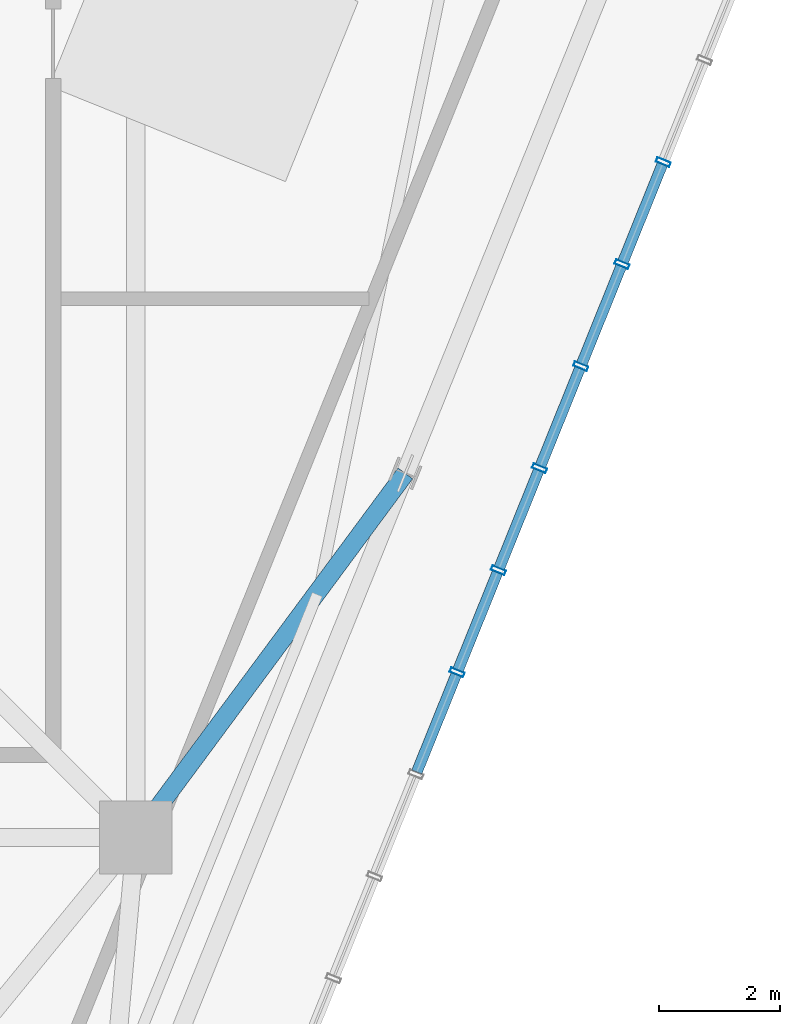
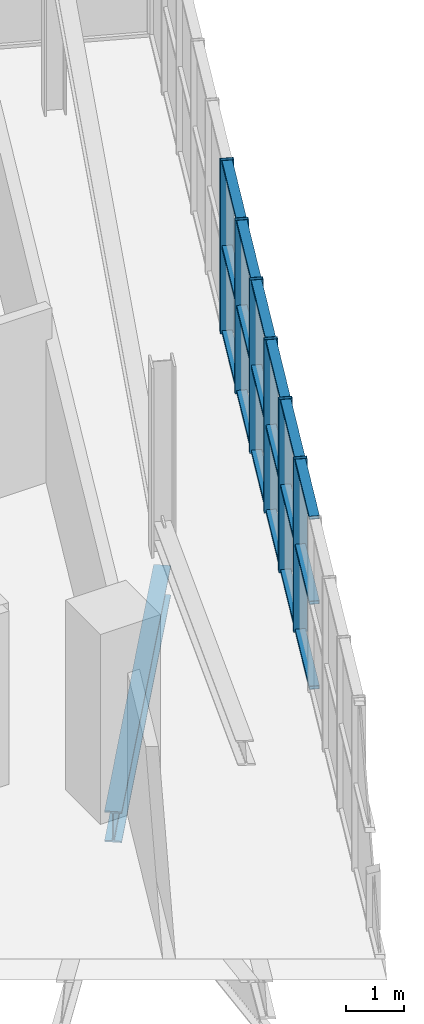
# One storey, part 9 of 26: 24 members, 1 beam, 1 element without a shape of its own.
"""IFC4 building model written with IfcOpenShell, lengths in metres."""

from ifc_helpers import new_model, si_unit, direction, frame, origin, origin_2d, place, context, subcontext, project, spatial, hollow_rectangle, i_section, extrude, source, transform, mapped, material, layer, layer_set, material_profile, profile_set, type_object, element, aggregate, save


model = new_model("IFC4")

# Units and contexts
model_context = context("Model", 3, precision=1e-05, world=origin(), true_north=direction((0.0, 1.0)))
body_context = subcontext(model_context, "Body", "Model", "MODEL_VIEW")
ifc_project = project(units=[si_unit("LENGTHUNIT", "METRE"), si_unit("AREAUNIT", "SQUARE_METRE"), si_unit("VOLUMEUNIT", "CUBIC_METRE"), si_unit("PLANEANGLEUNIT", "RADIAN"), si_unit("MASSUNIT", "GRAM", prefix="KILO"), si_unit("THERMODYNAMICTEMPERATUREUNIT", "KELVIN")], contexts=[model_context])

# Site, building, storey
site_placement = place(None, origin())
site = spatial("IfcSite", under=ifc_project, at=site_placement, CompositionType="ELEMENT")
building_placement = place(site_placement, origin())
building = spatial("IfcBuilding", under=site, at=building_placement, Name="Kosmvard Interchange Tower", CompositionType="ELEMENT")
storey_placement = place(building_placement, frame((0.0, 0.0, 341.60009765625)))
storey = spatial("IfcBuildingStorey", under=building, at=storey_placement, Name="L84", CompositionType="ELEMENT", Elevation=341.60009765625)

# Beam
ifc_material_1 = material(Name="Steel S355", Category="steel")
ifc_material_profile_1 = material_profile(ifc_material_1, i_section(OverallWidth=0.300048828125, OverallDepth=0.64990234375, WebThickness=0.01611328125, FlangeThickness=0.031005859375, FilletRadius=0.027099609375, at=origin_2d()), Name="HEB 650")
ifc_profile_set_1 = profile_set([ifc_material_profile_1], Name="Steel S355")
beam_type = type_object("IfcBeamType", Name="Primary Floor Girder HEB 650 S355", PredefinedType="BEAM", material=ifc_profile_set_1)
shared_shape_1 = source(origin(), body_context, "Body", "SweptSolid", [
    extrude(i_section(OverallWidth=0.300048828125, OverallDepth=0.64990234375, WebThickness=0.01611328125, FlangeThickness=0.031005859375, FilletRadius=0.027099609375, at=origin_2d()), origin(), (0.0, 0.0, 1.0), 7.466552734375),
])
beam_placement = place(storey_placement, frame((13.0810546875, -13.0810546875, -0.625), z_axis=(0.595007793491, 0.803719929879, 0.0), x_axis=(-0.803719929879, 0.595007793491, 0.0)))
element("IfcBeam", 1, at=beam_placement, inside=storey, type_object=beam_type, Name="BM-L84-RD02", PredefinedType="BEAM", context=body_context, shape_type="MappedRepresentation", body=[
    mapped(shared_shape_1, transform((0.0, 0.0, 0.0), scale=1.0)),
])

# Curtain wall, members
ifc_material_2 = material(Name="Architectural anodised aluminium", Category="aluminium")
ifc_layer = layer(ifc_material_2, 0.25, Name="Architectural anodised aluminium")
ifc_layer_set = layer_set([ifc_layer], Name="Architectural anodised aluminium")
curtain_wall_type = type_object("IfcCurtainWallType", Name="CW-6 Illuminated Crown Lantern Curtain Wall", PredefinedType="NOTDEFINED", material=ifc_layer_set)
curtain_wall_placement = place(storey_placement, origin())
curtain_wall = element("IfcCurtainWall", 2, at=curtain_wall_placement, inside=storey, type_object=curtain_wall_type, Name="L84 Crown Lantern Glazing Face 01", PredefinedType="NOTDEFINED")
ifc_material_profile_2 = material_profile(ifc_material_2, hollow_rectangle(XDim=0.179931640625, YDim=0.070068359375, WallThickness=0.0048828125, at=origin_2d()), Name="CWT 180x70x5")
ifc_profile_set_2 = profile_set([ifc_material_profile_2], Name="Architectural anodised aluminium")
member_type_1 = type_object("IfcMemberType", Name="Heavy Lantern CW Transom 180x70 Aluminium", PredefinedType="USERDEFINED", material=ifc_profile_set_2)
shared_shape_2 = source(origin(), body_context, "Body", "SweptSolid", [
    extrude(hollow_rectangle(XDim=0.179931640625, YDim=0.070068359375, WallThickness=0.0048828125, at=origin_2d()), origin(), (0.0, 0.0, 1.0), 1.734130859375),
])
member_1_placement = place(storey_placement, frame((18.392333984375, -10.32275390625, 0.034912109375), z_axis=(0.374616671924, 0.927179782522, 0.0), x_axis=(-0.927179782522, 0.374616671924, 0.0)))
member_1 = element("IfcMember", 3, at=member_1_placement, type_object=member_type_1, Name="CW-6 transom 8.1", ObjectType="TRANSOM", PredefinedType="USERDEFINED", context=body_context, shape_type="MappedRepresentation", body=[
    mapped(shared_shape_2, transform((0.0, 0.0, 0.0), scale=1.0)),
])
member_2_placement = place(storey_placement, frame((18.392333984375, -10.32275390625, 1.824951171875), z_axis=(0.374616671924, 0.927179782522, 0.0), x_axis=(-0.927179782522, 0.374616671924, 0.0)))
member_2 = element("IfcMember", 4, at=member_2_placement, type_object=member_type_1, Name="CW-6 transom 8.2", ObjectType="TRANSOM", PredefinedType="USERDEFINED", context=body_context, shape_type="MappedRepresentation", body=[
    mapped(shared_shape_2, transform((0.0, 0.0, 0.0), scale=1.0)),
])
member_3_placement = place(storey_placement, frame((18.392333984375, -10.32275390625, 3.614990234375), z_axis=(0.374616671924, 0.927179782522, 0.0), x_axis=(-0.927179782522, 0.374616671924, 0.0)))
member_3 = element("IfcMember", 5, at=member_3_placement, type_object=member_type_1, Name="CW-6 transom 8.3", ObjectType="TRANSOM", PredefinedType="USERDEFINED", context=body_context, shape_type="MappedRepresentation", body=[
    mapped(shared_shape_2, transform((0.0, 0.0, 0.0), scale=1.0)),
])
member_4_placement = place(storey_placement, frame((19.75146484375, -6.958740234375, 0.034912109375), z_axis=(0.374616671924, 0.927179782522, 0.0), x_axis=(-0.927179782522, 0.374616671924, 0.0)))
member_4 = element("IfcMember", 6, at=member_4_placement, type_object=member_type_1, Name="CW-6 transom 10.1", ObjectType="TRANSOM", PredefinedType="USERDEFINED", context=body_context, shape_type="MappedRepresentation", body=[
    mapped(shared_shape_2, transform((0.0, 0.0, 0.0), scale=1.0)),
])
member_5_placement = place(storey_placement, frame((19.75146484375, -6.958740234375, 1.824951171875), z_axis=(0.374616671924, 0.927179782522, 0.0), x_axis=(-0.927179782522, 0.374616671924, 0.0)))
member_5 = element("IfcMember", 7, at=member_5_placement, type_object=member_type_1, Name="CW-6 transom 10.2", ObjectType="TRANSOM", PredefinedType="USERDEFINED", context=body_context, shape_type="MappedRepresentation", body=[
    mapped(shared_shape_2, transform((0.0, 0.0, 0.0), scale=1.0)),
])
member_6_placement = place(storey_placement, frame((19.75146484375, -6.958740234375, 3.614990234375), z_axis=(0.374616671924, 0.927179782522, 0.0), x_axis=(-0.927179782522, 0.374616671924, 0.0)))
member_6 = element("IfcMember", 8, at=member_6_placement, type_object=member_type_1, Name="CW-6 transom 10.3", ObjectType="TRANSOM", PredefinedType="USERDEFINED", context=body_context, shape_type="MappedRepresentation", body=[
    mapped(shared_shape_2, transform((0.0, 0.0, 0.0), scale=1.0)),
])
member_7_placement = place(storey_placement, frame((20.43115234375, -5.276611328125, 0.034912109375), z_axis=(0.374495638732, 0.927228675447, 0.0), x_axis=(-0.927228675447, 0.374495638732, 0.0)))
member_7 = element("IfcMember", 9, at=member_7_placement, type_object=member_type_1, Name="CW-6 transom 11.1", ObjectType="TRANSOM", PredefinedType="USERDEFINED", context=body_context, shape_type="MappedRepresentation", body=[
    mapped(shared_shape_2, transform((0.0, 0.0, 0.0), scale=1.0)),
])
member_8_placement = place(storey_placement, frame((20.43115234375, -5.276611328125, 1.824951171875), z_axis=(0.374495638732, 0.927228675447, 0.0), x_axis=(-0.927228675447, 0.374495638732, 0.0)))
member_8 = element("IfcMember", 10, at=member_8_placement, type_object=member_type_1, Name="CW-6 transom 11.2", ObjectType="TRANSOM", PredefinedType="USERDEFINED", context=body_context, shape_type="MappedRepresentation", body=[
    mapped(shared_shape_2, transform((0.0, 0.0, 0.0), scale=1.0)),
])
member_9_placement = place(storey_placement, frame((20.43115234375, -5.276611328125, 3.614990234375), z_axis=(0.374495638732, 0.927228675447, 0.0), x_axis=(-0.927228675447, 0.374495638732, 0.0)))
member_9 = element("IfcMember", 11, at=member_9_placement, type_object=member_type_1, Name="CW-6 transom 11.3", ObjectType="TRANSOM", PredefinedType="USERDEFINED", context=body_context, shape_type="MappedRepresentation", body=[
    mapped(shared_shape_2, transform((0.0, 0.0, 0.0), scale=1.0)),
])
member_10_placement = place(storey_placement, frame((21.110595703125, -3.5947265625, 0.034912109375), z_axis=(0.374616671924, 0.927179782522, 0.0), x_axis=(-0.927179782522, 0.374616671924, 0.0)))
member_10 = element("IfcMember", 12, at=member_10_placement, type_object=member_type_1, Name="CW-6 transom 12.1", ObjectType="TRANSOM", PredefinedType="USERDEFINED", context=body_context, shape_type="MappedRepresentation", body=[
    mapped(shared_shape_2, transform((0.0, 0.0, 0.0), scale=1.0)),
])
member_11_placement = place(storey_placement, frame((21.110595703125, -3.5947265625, 1.824951171875), z_axis=(0.374616671924, 0.927179782522, 0.0), x_axis=(-0.927179782522, 0.374616671924, 0.0)))
member_11 = element("IfcMember", 13, at=member_11_placement, type_object=member_type_1, Name="CW-6 transom 12.2", ObjectType="TRANSOM", PredefinedType="USERDEFINED", context=body_context, shape_type="MappedRepresentation", body=[
    mapped(shared_shape_2, transform((0.0, 0.0, 0.0), scale=1.0)),
])
member_12_placement = place(storey_placement, frame((21.110595703125, -3.5947265625, 3.614990234375), z_axis=(0.374616671924, 0.927179782522, 0.0), x_axis=(-0.927179782522, 0.374616671924, 0.0)))
member_12 = element("IfcMember", 14, at=member_12_placement, type_object=member_type_1, Name="CW-6 transom 12.3", ObjectType="TRANSOM", PredefinedType="USERDEFINED", context=body_context, shape_type="MappedRepresentation", body=[
    mapped(shared_shape_2, transform((0.0, 0.0, 0.0), scale=1.0)),
])
shared_shape_3 = source(origin(), body_context, "Body", "SweptSolid", [
    extrude(hollow_rectangle(XDim=0.179931640625, YDim=0.070068359375, WallThickness=0.0048828125, at=origin_2d()), origin(), (0.0, 0.0, 1.0), 1.73388671875),
])
member_13_placement = place(storey_placement, frame((17.712646484375, -12.004638671875, 0.034912109375), z_axis=(0.374665576032, 0.927160021861, 0.0), x_axis=(-0.927160021861, 0.374665576032, 0.0)))
member_13 = element("IfcMember", 15, at=member_13_placement, type_object=member_type_1, Name="CW-6 transom 7.1", ObjectType="TRANSOM", PredefinedType="USERDEFINED", context=body_context, shape_type="MappedRepresentation", body=[
    mapped(shared_shape_3, transform((0.0, 0.0, 0.0), scale=1.0)),
])
member_14_placement = place(storey_placement, frame((17.712646484375, -12.004638671875, 1.824951171875), z_axis=(0.374665576032, 0.927160021861, 0.0), x_axis=(-0.927160021861, 0.374665576032, 0.0)))
member_14 = element("IfcMember", 16, at=member_14_placement, type_object=member_type_1, Name="CW-6 transom 7.2", ObjectType="TRANSOM", PredefinedType="USERDEFINED", context=body_context, shape_type="MappedRepresentation", body=[
    mapped(shared_shape_3, transform((0.0, 0.0, 0.0), scale=1.0)),
])
member_15_placement = place(storey_placement, frame((17.712646484375, -12.004638671875, 3.614990234375), z_axis=(0.374665576032, 0.927160021861, 0.0), x_axis=(-0.927160021861, 0.374665576032, 0.0)))
member_15 = element("IfcMember", 17, at=member_15_placement, type_object=member_type_1, Name="CW-6 transom 7.3", ObjectType="TRANSOM", PredefinedType="USERDEFINED", context=body_context, shape_type="MappedRepresentation", body=[
    mapped(shared_shape_3, transform((0.0, 0.0, 0.0), scale=1.0)),
])
member_16_placement = place(storey_placement, frame((19.07177734375, -8.640625, 0.034912109375), z_axis=(0.374665576032, 0.927160021861, 0.0), x_axis=(-0.927160021861, 0.374665576032, 0.0)))
member_16 = element("IfcMember", 18, at=member_16_placement, type_object=member_type_1, Name="CW-6 transom 9.1", ObjectType="TRANSOM", PredefinedType="USERDEFINED", context=body_context, shape_type="MappedRepresentation", body=[
    mapped(shared_shape_3, transform((0.0, 0.0, 0.0), scale=1.0)),
])
member_17_placement = place(storey_placement, frame((19.07177734375, -8.640625, 1.824951171875), z_axis=(0.374665576032, 0.927160021861, 0.0), x_axis=(-0.927160021861, 0.374665576032, 0.0)))
member_17 = element("IfcMember", 19, at=member_17_placement, type_object=member_type_1, Name="CW-6 transom 9.2", ObjectType="TRANSOM", PredefinedType="USERDEFINED", context=body_context, shape_type="MappedRepresentation", body=[
    mapped(shared_shape_3, transform((0.0, 0.0, 0.0), scale=1.0)),
])
member_18_placement = place(storey_placement, frame((19.07177734375, -8.640625, 3.614990234375), z_axis=(0.374665576032, 0.927160021861, 0.0), x_axis=(-0.927160021861, 0.374665576032, 0.0)))
member_18 = element("IfcMember", 20, at=member_18_placement, type_object=member_type_1, Name="CW-6 transom 9.3", ObjectType="TRANSOM", PredefinedType="USERDEFINED", context=body_context, shape_type="MappedRepresentation", body=[
    mapped(shared_shape_3, transform((0.0, 0.0, 0.0), scale=1.0)),
])
ifc_material_profile_3 = material_profile(ifc_material_2, hollow_rectangle(XDim=0.239990234375, YDim=0.080078125, WallThickness=0.006103515625, at=origin_2d()), Name="CWM 240x80x6")
ifc_profile_set_3 = profile_set([ifc_material_profile_3], Name="Architectural anodised aluminium")
member_type_2 = type_object("IfcMemberType", Name="Lantern & Observation CW Mullion 240x80 Aluminium", PredefinedType="MULLION", material=ifc_profile_set_3)
shared_shape_4 = source(origin(), body_context, "Body", "SweptSolid", [
    extrude(hollow_rectangle(XDim=0.239990234375, YDim=0.080078125, WallThickness=0.006103515625, at=origin_2d()), origin(), (0.0, 0.0, 1.0), 3.64990234375),
])
member_19_placement = place(storey_placement, frame((18.377197265625, -10.35986328125, 0.0), z_axis=(0.0, 0.0, 1.0), x_axis=(-0.927183858065, 0.374606584758, 0.0)))
member_19 = element("IfcMember", 21, at=member_19_placement, type_object=member_type_2, Name="CW-6 mullion 8", PredefinedType="MULLION", context=body_context, shape_type="MappedRepresentation", body=[
    mapped(shared_shape_4, transform((0.0, 0.0, 0.0), scale=1.0)),
])
member_20_placement = place(storey_placement, frame((19.056884765625, -8.677734375, 0.0), z_axis=(0.0, 0.0, 1.0), x_axis=(-0.927183858065, 0.374606584758, 0.0)))
member_20 = element("IfcMember", 22, at=member_20_placement, type_object=member_type_2, Name="CW-6 mullion 9", PredefinedType="MULLION", context=body_context, shape_type="MappedRepresentation", body=[
    mapped(shared_shape_4, transform((0.0, 0.0, 0.0), scale=1.0)),
])
member_21_placement = place(storey_placement, frame((19.736572265625, -6.995849609375, 0.0), z_axis=(0.0, 0.0, 1.0), x_axis=(-0.927183858065, 0.374606584758, 0.0)))
member_21 = element("IfcMember", 23, at=member_21_placement, type_object=member_type_2, Name="CW-6 mullion 10", PredefinedType="MULLION", context=body_context, shape_type="MappedRepresentation", body=[
    mapped(shared_shape_4, transform((0.0, 0.0, 0.0), scale=1.0)),
])
member_22_placement = place(storey_placement, frame((20.416015625, -5.313720703125, 0.0), z_axis=(0.0, 0.0, 1.0), x_axis=(-0.927183858065, 0.374606584758, 0.0)))
member_22 = element("IfcMember", 24, at=member_22_placement, type_object=member_type_2, Name="CW-6 mullion 11", PredefinedType="MULLION", context=body_context, shape_type="MappedRepresentation", body=[
    mapped(shared_shape_4, transform((0.0, 0.0, 0.0), scale=1.0)),
])
member_23_placement = place(storey_placement, frame((21.095703125, -3.6318359375, 0.0), z_axis=(0.0, 0.0, 1.0), x_axis=(-0.927183858065, 0.374606584758, 0.0)))
member_23 = element("IfcMember", 25, at=member_23_placement, type_object=member_type_2, Name="CW-6 mullion 12", PredefinedType="MULLION", context=body_context, shape_type="MappedRepresentation", body=[
    mapped(shared_shape_4, transform((0.0, 0.0, 0.0), scale=1.0)),
])
member_24_placement = place(storey_placement, frame((21.775146484375, -1.94970703125, 0.0), z_axis=(0.0, 0.0, 1.0), x_axis=(-0.927183858065, 0.374606584758, 0.0)))
member_24 = element("IfcMember", 26, at=member_24_placement, type_object=member_type_2, Name="CW-6 mullion 13", PredefinedType="MULLION", context=body_context, shape_type="MappedRepresentation", body=[
    mapped(shared_shape_4, transform((0.0, 0.0, 0.0), scale=1.0)),
])
aggregate(curtain_wall, [member_19, member_20, member_21, member_22, member_23, member_24, member_13, member_14, member_15, member_1, member_2, member_3, member_16, member_17, member_18, member_4, member_5, member_6, member_7, member_8, member_9, member_10, member_11, member_12])

save(model, "model.ifc")
